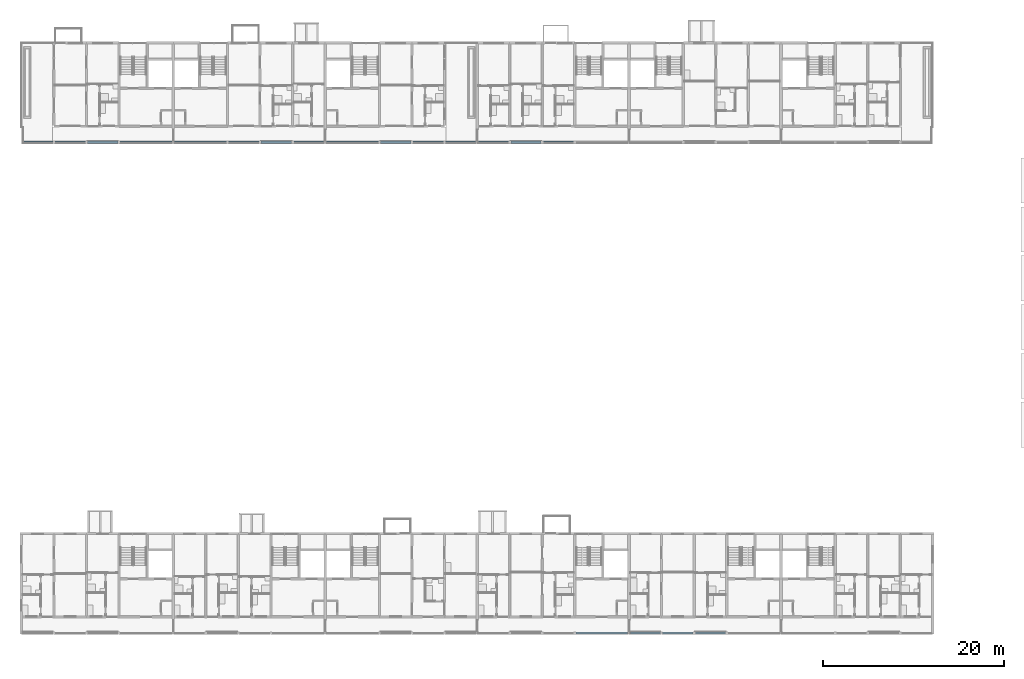
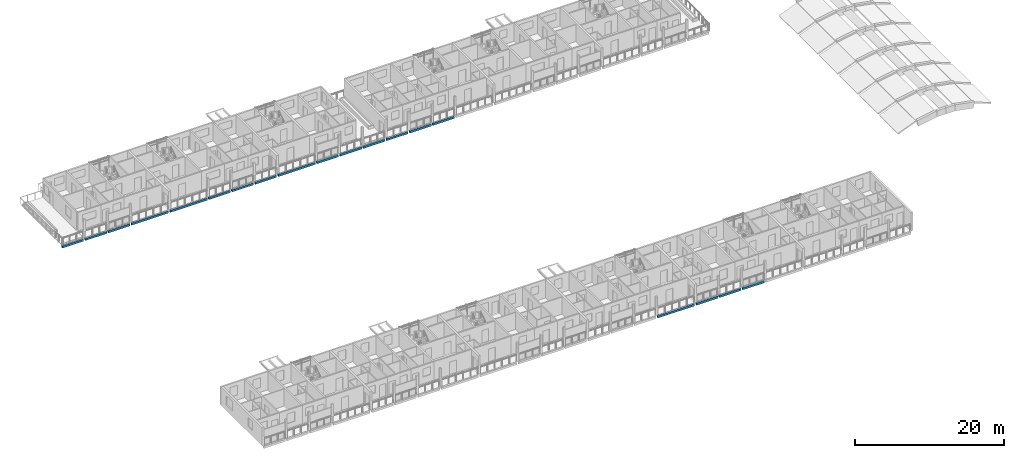
# One storey, part 8 of 93: 19 beams.
"""IFC4 building model written with IfcOpenShell, lengths in metres."""

from ifc_helpers import new_model, si_unit, direction, frame, origin, origin_2d, place, context, subcontext, project, spatial, rectangle, extrude, material, material_profile, profile_set, type_object, element, save


model = new_model("IFC4")

# Units and contexts
model_context = context("Model", 3, precision=1e-05, world=origin(), true_north=direction((0.0, 1.0)))
body_context = subcontext(model_context, "Body", "Model", "MODEL_VIEW")
ifc_project = project(units=[si_unit("LENGTHUNIT", "METRE"), si_unit("AREAUNIT", "SQUARE_METRE"), si_unit("VOLUMEUNIT", "CUBIC_METRE"), si_unit("PLANEANGLEUNIT", "RADIAN"), si_unit("MASSUNIT", "GRAM", prefix="KILO")], contexts=[model_context])

# Site, building, storey
site_placement = place(None, origin())
site = spatial("IfcSite", under=ifc_project, at=site_placement, CompositionType="ELEMENT")
building_placement = place(site_placement, origin())
building = spatial("IfcBuilding", under=site, at=building_placement, Name="Ridgestep Commons", CompositionType="ELEMENT")
storey_placement = place(building_placement, frame((0.0, 0.0, 18.0)))
storey = spatial("IfcBuildingStorey", under=building, at=storey_placement, Name="L06", CompositionType="ELEMENT", Elevation=18.0)

# Beams
ifc_material = material(Name="Precast concrete C40/50", Category="concrete")
ifc_material_profile = material_profile(ifc_material, rectangle(XDim=0.25, YDim=0.35009765625, at=origin_2d()), Name="PC 250x350")
ifc_profile_set = profile_set([ifc_material_profile], Name="Precast concrete C40/50")
beam_type = type_object("IfcBeamType", Name="Loggia edge beam 250 x 350", PredefinedType="SPANDREL", material=ifc_profile_set)
beam_1_placement = place(storey_placement, frame((73.324951171875, 11.875, -0.375), z_axis=(1.0, 0.0, 0.0), x_axis=(0.0, 1.0, 0.0)))
element("IfcBeam", 1, at=beam_1_placement, inside=storey, type_object=beam_type, Name="Loggia edge beam A4C L06", PredefinedType="SPANDREL", context=body_context, shape_type="SweptSolid", body=[
    extrude(rectangle(XDim=0.25, YDim=0.35009765625, at=origin_2d()), origin(), (0.0, 0.0, 1.0), 5.72509765625),
])
beam_2_placement = place(storey_placement, frame((79.35009765625, 11.875, -0.375), z_axis=(1.0, 0.0, 0.0), x_axis=(0.0, 1.0, 0.0)))
element("IfcBeam", 2, at=beam_2_placement, inside=storey, type_object=beam_type, Name="Loggia edge beam A5T1 L06", PredefinedType="SPANDREL", context=body_context, shape_type="SweptSolid", body=[
    extrude(rectangle(XDim=0.25, YDim=0.35009765625, at=origin_2d()), origin(), (0.0, 0.0, 1.0), 3.324951171875),
])
beam_3_placement = place(storey_placement, frame((82.925048828125, 11.875, -0.375), z_axis=(1.0, 0.0, 0.0), x_axis=(0.0, 1.0, 0.0)))
element("IfcBeam", 3, at=beam_3_placement, inside=storey, type_object=beam_type, Name="Loggia edge beam A5T2 L06", PredefinedType="SPANDREL", context=body_context, shape_type="SweptSolid", body=[
    extrude(rectangle(XDim=0.25, YDim=0.35009765625, at=origin_2d()), origin(), (0.0, 0.0, 1.0), 3.349853515625),
])
beam_4_placement = place(storey_placement, frame((86.52490234375, 11.875, -0.375), z_axis=(1.0, 0.0, 0.0), x_axis=(0.0, 1.0, 0.0)))
element("IfcBeam", 4, at=beam_4_placement, inside=storey, type_object=beam_type, Name="Loggia edge beam A5T3 L06", PredefinedType="SPANDREL", context=body_context, shape_type="SweptSolid", body=[
    extrude(rectangle(XDim=0.25, YDim=0.35009765625, at=origin_2d()), origin(), (0.0, 0.0, 1.0), 3.35009765625),
])
beam_5_placement = place(storey_placement, frame((12.14990234375, 66.125, -0.375), z_axis=(1.0, 0.0, 0.0), x_axis=(0.0, 1.0, 0.0)))
element("IfcBeam", 5, at=beam_5_placement, inside=storey, type_object=beam_type, Name="Loggia edge beam B1T1 L06", PredefinedType="SPANDREL", context=body_context, shape_type="SweptSolid", body=[
    extrude(rectangle(XDim=0.25, YDim=0.35009765625, at=origin_2d()), origin(), (0.0, 0.0, 1.0), 3.3251953125),
])
beam_6_placement = place(storey_placement, frame((15.72509765625, 66.125, -0.375), z_axis=(1.0, 0.0, 0.0), x_axis=(0.0, 1.0, 0.0)))
element("IfcBeam", 6, at=beam_6_placement, inside=storey, type_object=beam_type, Name="Loggia edge beam B1T2 L06", PredefinedType="SPANDREL", context=body_context, shape_type="SweptSolid", body=[
    extrude(rectangle(XDim=0.25, YDim=0.35009765625, at=origin_2d()), origin(), (0.0, 0.0, 1.0), 3.349853515625),
])
beam_7_placement = place(storey_placement, frame((19.324951171875, 66.125, -0.375), z_axis=(1.0, 0.0, 0.0), x_axis=(0.0, 1.0, 0.0)))
element("IfcBeam", 7, at=beam_7_placement, inside=storey, type_object=beam_type, Name="Loggia edge beam B1T3 L06", PredefinedType="SPANDREL", context=body_context, shape_type="SweptSolid", body=[
    extrude(rectangle(XDim=0.25, YDim=0.35009765625, at=origin_2d()), origin(), (0.0, 0.0, 1.0), 3.35009765625),
])
beam_8_placement = place(storey_placement, frame((22.925048828125, 66.125, -0.375), z_axis=(1.0, 0.0, 0.0), x_axis=(0.0, 1.0, 0.0)))
element("IfcBeam", 8, at=beam_8_placement, inside=storey, type_object=beam_type, Name="Loggia edge beam B1C L06", PredefinedType="SPANDREL", context=body_context, shape_type="SweptSolid", body=[
    extrude(rectangle(XDim=0.25, YDim=0.35009765625, at=origin_2d()), origin(), (0.0, 0.0, 1.0), 5.724853515625),
])
beam_9_placement = place(storey_placement, frame((28.949951171875, 66.125, -0.375), z_axis=(1.0, 0.0, 0.0), x_axis=(0.0, 1.0, 0.0)))
element("IfcBeam", 9, at=beam_9_placement, inside=storey, type_object=beam_type, Name="Loggia edge beam B2C L06", PredefinedType="SPANDREL", context=body_context, shape_type="SweptSolid", body=[
    extrude(rectangle(XDim=0.25, YDim=0.35009765625, at=origin_2d()), origin(), (0.0, 0.0, 1.0), 5.72509765625),
])
beam_10_placement = place(storey_placement, frame((34.925048828125, 66.125, -0.375), z_axis=(1.0, 0.0, 0.0), x_axis=(0.0, 1.0, 0.0)))
element("IfcBeam", 10, at=beam_10_placement, inside=storey, type_object=beam_type, Name="Loggia edge beam B2T3 L06", PredefinedType="SPANDREL", context=body_context, shape_type="SweptSolid", body=[
    extrude(rectangle(XDim=0.25, YDim=0.35009765625, at=origin_2d()), origin(), (0.0, 0.0, 1.0), 3.349853515625),
])
beam_11_placement = place(storey_placement, frame((38.52490234375, 66.125, -0.375), z_axis=(1.0, 0.0, 0.0), x_axis=(0.0, 1.0, 0.0)))
element("IfcBeam", 11, at=beam_11_placement, inside=storey, type_object=beam_type, Name="Loggia edge beam B2T2 L06", PredefinedType="SPANDREL", context=body_context, shape_type="SweptSolid", body=[
    extrude(rectangle(XDim=0.25, YDim=0.35009765625, at=origin_2d()), origin(), (0.0, 0.0, 1.0), 3.35009765625),
])
beam_12_placement = place(storey_placement, frame((42.125, 66.125, -0.375), z_axis=(1.0, 0.0, 0.0), x_axis=(0.0, 1.0, 0.0)))
element("IfcBeam", 12, at=beam_12_placement, inside=storey, type_object=beam_type, Name="Loggia edge beam B2T1 L06", PredefinedType="SPANDREL", context=body_context, shape_type="SweptSolid", body=[
    extrude(rectangle(XDim=0.25, YDim=0.35009765625, at=origin_2d()), origin(), (0.0, 0.0, 1.0), 3.324951171875),
])
beam_13_placement = place(storey_placement, frame((45.75, 66.125, -0.375), z_axis=(1.0, 0.0, 0.0), x_axis=(0.0, 1.0, 0.0)))
element("IfcBeam", 13, at=beam_13_placement, inside=storey, type_object=beam_type, Name="Loggia edge beam B3C L06", PredefinedType="SPANDREL", context=body_context, shape_type="SweptSolid", body=[
    extrude(rectangle(XDim=0.25, YDim=0.35009765625, at=origin_2d()), origin(), (0.0, 0.0, 1.0), 5.72509765625),
])
beam_14_placement = place(storey_placement, frame((51.72509765625, 66.125, -0.375), z_axis=(1.0, 0.0, 0.0), x_axis=(0.0, 1.0, 0.0)))
element("IfcBeam", 14, at=beam_14_placement, inside=storey, type_object=beam_type, Name="Loggia edge beam B3T3 L06", PredefinedType="SPANDREL", context=body_context, shape_type="SweptSolid", body=[
    extrude(rectangle(XDim=0.25, YDim=0.35009765625, at=origin_2d()), origin(), (0.0, 0.0, 1.0), 3.349853515625),
])
beam_15_placement = place(storey_placement, frame((55.324951171875, 66.125, -0.375), z_axis=(1.0, 0.0, 0.0), x_axis=(0.0, 1.0, 0.0)))
element("IfcBeam", 15, at=beam_15_placement, inside=storey, type_object=beam_type, Name="Loggia edge beam B3T2 L06", PredefinedType="SPANDREL", context=body_context, shape_type="SweptSolid", body=[
    extrude(rectangle(XDim=0.25, YDim=0.35009765625, at=origin_2d()), origin(), (0.0, 0.0, 1.0), 3.35009765625),
])
for number, where, z_axis, x_axis, name in (
    (16, (58.925048828125, 66.125, -0.375), (1.0, 0.0, 0.0), (0.0, 1.0, 0.0), "Loggia edge beam B3T1 L06"),
    (17, (62.550048828125, 66.125, -0.375), (1.0, 0.0, 0.0), (0.0, 1.0, 0.0), "Loggia edge beam B4T1 L06"),
):
    element("IfcBeam", number, at=place(storey_placement, frame(where, z_axis=z_axis, x_axis=x_axis)), inside=storey, type_object=beam_type, Name=name, PredefinedType="SPANDREL", context=body_context, shape_type="SweptSolid", body=[
        extrude(rectangle(XDim=0.25, YDim=0.35009765625, at=origin_2d()), origin(), (0.0, 0.0, 1.0), 3.324951171875),
    ])
beam_16_placement = place(storey_placement, frame((66.125, 66.125, -0.375), z_axis=(1.0, 0.0, 0.0), x_axis=(0.0, 1.0, 0.0)))
element("IfcBeam", 18, at=beam_16_placement, inside=storey, type_object=beam_type, Name="Loggia edge beam B4T2 L06", PredefinedType="SPANDREL", context=body_context, shape_type="SweptSolid", body=[
    extrude(rectangle(XDim=0.25, YDim=0.35009765625, at=origin_2d()), origin(), (0.0, 0.0, 1.0), 3.35009765625),
])
beam_17_placement = place(storey_placement, frame((69.72509765625, 66.125, -0.375), z_axis=(1.0, 0.0, 0.0), x_axis=(0.0, 1.0, 0.0)))
element("IfcBeam", 19, at=beam_17_placement, inside=storey, type_object=beam_type, Name="Loggia edge beam B4T3 L06", PredefinedType="SPANDREL", context=body_context, shape_type="SweptSolid", body=[
    extrude(rectangle(XDim=0.25, YDim=0.35009765625, at=origin_2d()), origin(), (0.0, 0.0, 1.0), 3.349853515625),
])

save(model, "model.ifc")
